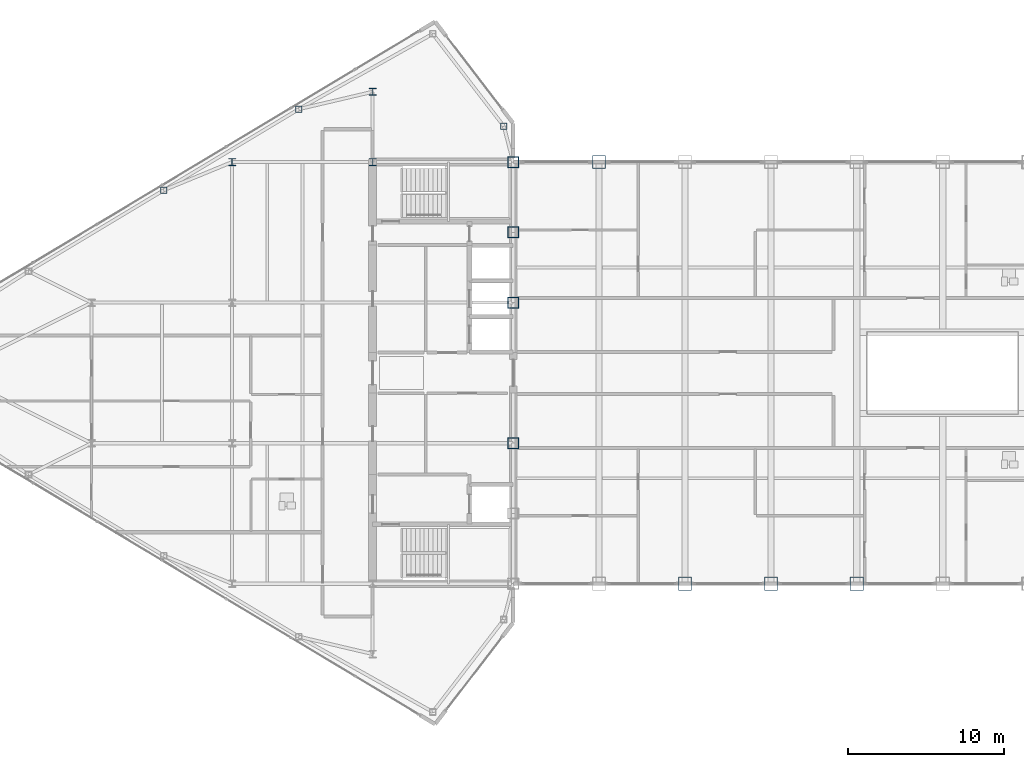
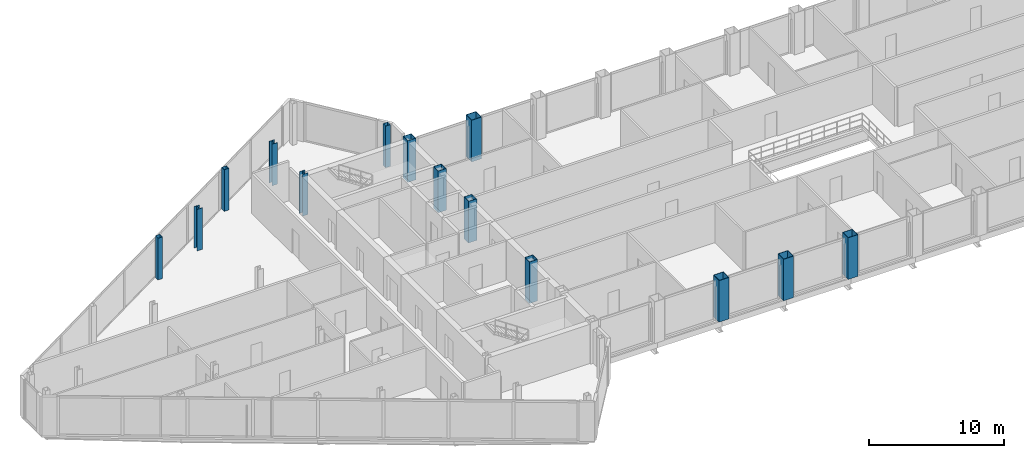
# One storey, part 2 of 29: 14 columns.
"""IFC4 building model written with IfcOpenShell, lengths in metres."""

from ifc_helpers import new_model, si_unit, direction, frame, origin, origin_2d, place, context, subcontext, project, spatial, hollow_rectangle, i_section, extrude, source, transform, mapped, material, material_profile, profile_set, type_object, type_shapes, element, save


model = new_model("IFC4")

# Units and contexts
model_context = context("Model", 3, precision=1e-05, world=origin(), true_north=direction((0.0, 1.0)))
body_context = subcontext(model_context, "Body", "Model", "MODEL_VIEW")
ifc_project = project(units=[si_unit("LENGTHUNIT", "METRE"), si_unit("AREAUNIT", "SQUARE_METRE"), si_unit("VOLUMEUNIT", "CUBIC_METRE"), si_unit("PLANEANGLEUNIT", "RADIAN"), si_unit("MASSUNIT", "GRAM", prefix="KILO")], contexts=[model_context])

# Site, building, storey
site_placement = place(None, origin())
site = spatial("IfcSite", under=ifc_project, at=site_placement, CompositionType="ELEMENT")
building_placement = place(site_placement, origin())
building = spatial("IfcBuilding", under=site, at=building_placement, Name="Seokmaru Belvedere", CompositionType="ELEMENT")
storey_placement = place(building_placement, frame((0.0, 0.0, 250.64990234375)))
storey = spatial("IfcBuildingStorey", under=building, at=storey_placement, Name="L66", CompositionType="ELEMENT", Elevation=250.64990234375)

# Columns
ifc_material_1 = material(Name="Steel SM355 (355 MPa)", Category="steel")
ifc_material_profile_1 = material_profile(ifc_material_1, hollow_rectangle(XDim=0.699951171875, YDim=0.699951171875, WallThickness=0.030029296875, at=origin_2d()), Name="BOX-700x700x30")
ifc_profile_set_1 = profile_set([ifc_material_profile_1], Name="Steel SM355 (355 MPa)")
column_type_1 = type_object("IfcColumnType", Name="Upper Spine Column BOX-700", PredefinedType="COLUMN", material=ifc_profile_set_1)
shared_shape_1 = source(origin(), body_context, "Body", "SweptSolid", [
    extrude(hollow_rectangle(XDim=0.699951171875, YDim=0.699951171875, WallThickness=0.030029296875, at=origin_2d()), origin(), (0.0, 0.0, 1.0), 3.75),
])
type_shapes(column_type_1, [shared_shape_1])
for number, where, z_axis, x_axis, name in (
    (1, (-27.5, -4.5, 0.0), (0.0, 0.0, 1.0), (1.0, 0.0, 0.0), "L66 Column WS3"),
    (2, (-27.5, 4.5, 0.0), (0.0, 0.0, 1.0), (1.0, 0.0, 0.0), "L66 Column WS4"),
    (3, (-27.5, 9.0, 0.0), (0.0, 0.0, 1.0), (1.0, 0.0, 0.0), "L66 Column WS5"),
    (4, (-27.5, 13.5, 0.0), (0.0, 0.0, 1.0), (1.0, 0.0, 0.0), "L66 Column WS6"),
):
    element("IfcColumn", number, at=place(storey_placement, frame(where, z_axis=z_axis, x_axis=x_axis)), inside=storey, type_object=column_type_1, Name=name, PredefinedType="COLUMN", context=body_context, shape_type="MappedRepresentation", body=[
        mapped(shared_shape_1, transform((0.0, 0.0, 0.0), scale=1.0)),
    ])
ifc_material_profile_2 = material_profile(ifc_material_1, i_section(OverallWidth=0.449951171875, OverallDepth=0.449951171875, WebThickness=0.01611328125, FlangeThickness=0.02490234375, at=origin_2d()), Name="H-450x450x16x25")
ifc_profile_set_2 = profile_set([ifc_material_profile_2], Name="Steel SM355 (355 MPa)")
column_type_2 = type_object("IfcColumnType", Name="Sky-Gate Column H-450", PredefinedType="COLUMN", material=ifc_profile_set_2)
shared_shape_2 = source(origin(), body_context, "Body", "SweptSolid", [
    extrude(i_section(OverallWidth=0.449951171875, OverallDepth=0.449951171875, WebThickness=0.01611328125, FlangeThickness=0.02490234375, at=origin_2d()), origin(), (0.0, 0.0, 1.0), 3.75),
])
type_shapes(column_type_2, [shared_shape_2])
for number, where, z_axis, x_axis, name in (
    (5, (-36.5, 13.5, 0.0), (0.0, 0.0, 1.0), (1.0, 0.0, 0.0), "L66 Column WC3"),
    (6, (-36.5, 18.0, 0.0), (0.0, 0.0, 1.0), (1.0, 0.0, 0.0), "L66 Column WC4"),
    (7, (-45.5, 13.5, 0.0), (0.0, 0.0, 1.0), (1.0, 0.0, 0.0), "L66 Column WG5_4"),
):
    element("IfcColumn", number, at=place(storey_placement, frame(where, z_axis=z_axis, x_axis=x_axis)), inside=storey, type_object=column_type_2, Name=name, PredefinedType="COLUMN", context=body_context, shape_type="MappedRepresentation", body=[
        mapped(shared_shape_2, transform((0.0, 0.0, 0.0), scale=1.0)),
    ])
ifc_material_profile_3 = material_profile(ifc_material_1, hollow_rectangle(XDim=0.39990234375, YDim=0.39990234375, WallThickness=0.01611328125, at=origin_2d()), Name="HSS-400x400x16")
ifc_profile_set_3 = profile_set([ifc_material_profile_3], Name="Steel SM355 (355 MPa)")
column_type_3 = type_object("IfcColumnType", Name="Perimeter Facet Column HSS-400", PredefinedType="COLUMN", material=ifc_profile_set_3)
shared_shape_3 = source(origin(), body_context, "Body", "SweptSolid", [
    extrude(hollow_rectangle(XDim=0.39990234375, YDim=0.39990234375, WallThickness=0.01611328125, at=origin_2d()), origin(), (0.0, 0.0, 1.0), 3.75),
])
type_shapes(column_type_3, [shared_shape_3])
for number, where, z_axis, x_axis, name in (
    (8, (-28.10009765625, 15.7958984375, 0.0), (0.0, 0.0, 1.0), (1.0, 0.0, 0.0), "L66 Column WF2"),
    (9, (-41.229736328125, 16.888916015625, 0.0), (0.0, 0.0, 1.0), (1.0, 0.0, 0.0), "L66 Column WFLK_N1"),
    (10, (-49.8798828125, 11.698974609375, 0.0), (0.0, 0.0, 1.0), (1.0, 0.0, 0.0), "L66 Column WFLK_N2"),
):
    element("IfcColumn", number, at=place(storey_placement, frame(where, z_axis=z_axis, x_axis=x_axis)), inside=storey, type_object=column_type_3, Name=name, PredefinedType="COLUMN", context=body_context, shape_type="MappedRepresentation", body=[
        mapped(shared_shape_3, transform((0.0, 0.0, 0.0), scale=1.0)),
    ])
ifc_material_2 = material(Name="Steel HSA650 (650 MPa)", Category="steel")
ifc_material_profile_4 = material_profile(ifc_material_2, hollow_rectangle(XDim=0.85009765625, YDim=0.85009765625, WallThickness=0.035888671875, at=origin_2d()), Name="BOX-850x850x36")
ifc_profile_set_4 = profile_set([ifc_material_profile_4], Name="Steel HSA650 (650 MPa)")
column_type_4 = type_object("IfcColumnType", Name="Portal Spine Column BOX-850", PredefinedType="COLUMN", material=ifc_profile_set_4)
shared_shape_4 = source(origin(), body_context, "Body", "SweptSolid", [
    extrude(hollow_rectangle(XDim=0.85009765625, YDim=0.85009765625, WallThickness=0.035888671875, at=origin_2d()), origin(), (0.0, 0.0, 1.0), 3.75),
])
type_shapes(column_type_4, [shared_shape_4])
for number, where, z_axis, x_axis, name in (
    (11, (-22.0, 13.5, 0.0), (0.0, 0.0, 1.0), (1.0, 0.0, 0.0), "L66 Column BRN_1"),
    (12, (-16.5, -13.5, 0.0), (0.0, 0.0, 1.0), (1.0, 0.0, 0.0), "L66 Column BRS_2"),
    (13, (-11.0, -13.5, 0.0), (0.0, 0.0, 1.0), (1.0, 0.0, 0.0), "L66 Column BRS_3"),
    (14, (-5.5, -13.5, 0.0), (0.0, 0.0, 1.0), (1.0, 0.0, 0.0), "L66 Column BRS_4"),
):
    element("IfcColumn", number, at=place(storey_placement, frame(where, z_axis=z_axis, x_axis=x_axis)), inside=storey, type_object=column_type_4, Name=name, PredefinedType="COLUMN", context=body_context, shape_type="MappedRepresentation", body=[
        mapped(shared_shape_4, transform((0.0, 0.0, 0.0), scale=1.0)),
    ])

save(model, "model.ifc")
